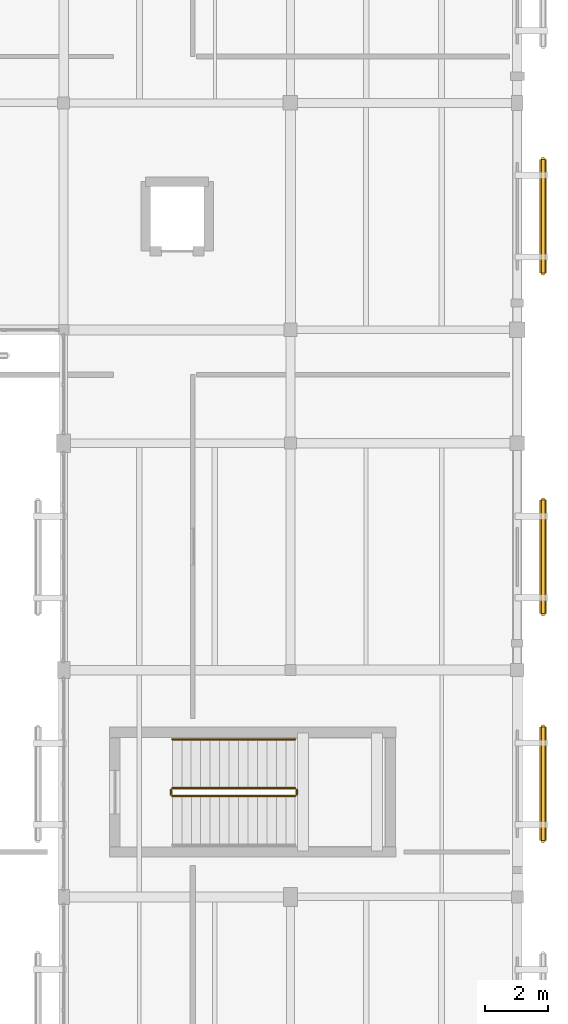
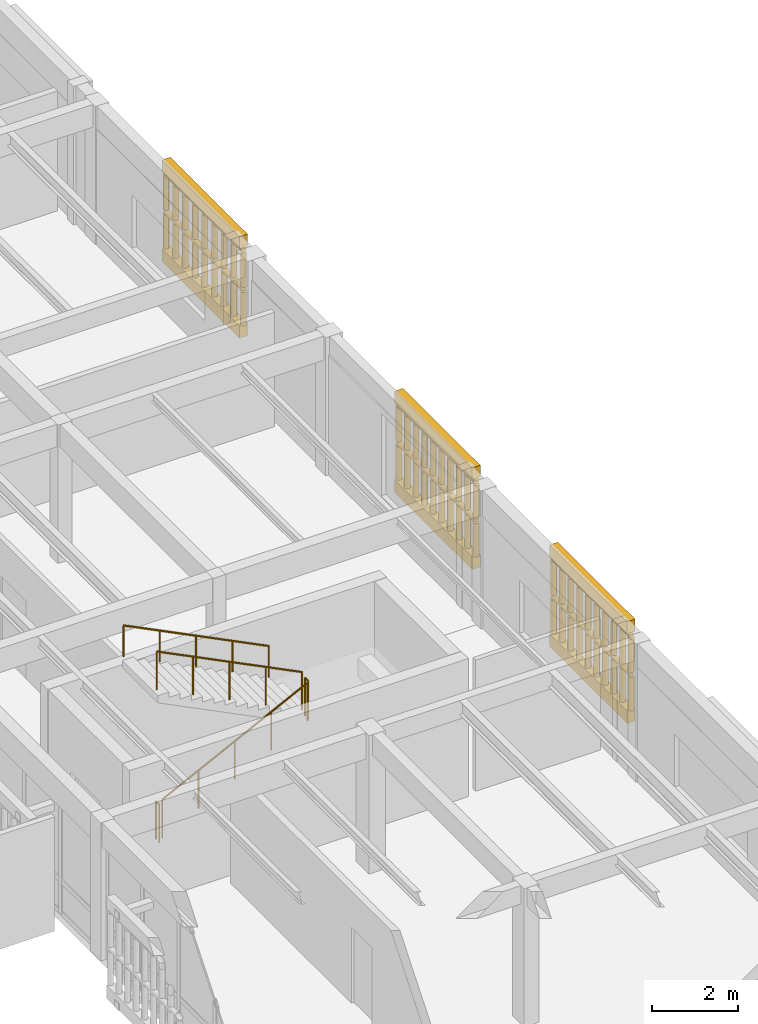
# One storey, part 216 of 217: 11 railings, 6 coverings.
"""IFC4 building model written with IfcOpenShell, lengths in metres."""

from ifc_helpers import new_model, si_unit, direction, frame, origin, origin_2d, place, context, subcontext, project, spatial, polyline, circle, outline, extrude, material, layer, layer_set, type_object, element, save


model = new_model("IFC4")

# Units and contexts
model_context = context("Model", 3, precision=1e-05, world=origin(), true_north=direction((0.0, 1.0)))
body_context = subcontext(model_context, "Body", "Model", "MODEL_VIEW")
ifc_project = project(units=[si_unit("LENGTHUNIT", "METRE"), si_unit("AREAUNIT", "SQUARE_METRE"), si_unit("VOLUMEUNIT", "CUBIC_METRE"), si_unit("PLANEANGLEUNIT", "RADIAN"), si_unit("MASSUNIT", "GRAM", prefix="KILO")], contexts=[model_context])

# Site, building, storey
site_placement = place(None, origin())
site = spatial("IfcSite", under=ifc_project, at=site_placement, CompositionType="ELEMENT")
building_placement = place(site_placement, origin())
building = spatial("IfcBuilding", under=site, at=building_placement, Name="Mazaris Harbour Polytechnic", CompositionType="ELEMENT")
storey_placement = place(building_placement, frame((0.0, 0.0, 9.60009765625)))
storey = spatial("IfcBuildingStorey", under=building, at=storey_placement, Name="L02", CompositionType="ELEMENT", Elevation=9.60009765625)

# Railings
ifc_material_1 = material(Name="Perforated Earth-Coloured Terracotta Block", Category="masonry")
railing_type_1 = type_object("IfcRailingType", Name="Perforated Earth-Block Claustra Lattice 1040", PredefinedType="BALUSTRADE", material=ifc_material_1)
for number, where, name in (
    (1, (173.6201171875, 73.7900390625, 0.52001953125), "V5 L02 Lower Perforated Terracotta Block Screen 429"),
    (2, (173.6201171875, 73.7900390625, 1.60986328125), "V5 L02 Upper Perforated Terracotta Block Screen 429"),
    (3, (173.6201171875, 80.989990234375, 0.52001953125), "V5 L02 Lower Perforated Terracotta Block Screen 430"),
    (4, (173.6201171875, 80.989990234375, 1.60986328125), "V5 L02 Upper Perforated Terracotta Block Screen 430"),
):
    element("IfcRailing", number, at=place(storey_placement, frame(where)), inside=storey, type_object=railing_type_1, Name=name, PredefinedType="BALUSTRADE", context=body_context, shape_type="SweptSolid", body=[
        extrude(circle(Radius=0.06982421875, at=origin_2d()), frame((0.0, 0.0, 1.02001953125), z_axis=(0.0, -1.0, 0.0), x_axis=(1.0, 0.0, 0.0)), (0.0, 0.0, 1.0), 3.60009765625),
        extrude(circle(Radius=0.074951171875, at=origin_2d()), origin(), (0.0, 0.0, 1.0), 0.9501953125),
        extrude(circle(Radius=0.074951171875, at=origin_2d()), frame((0.0, -0.39990234375, 0.0)), (0.0, 0.0, 1.0), 0.9501953125),
        extrude(circle(Radius=0.074951171875, at=origin_2d()), frame((0.0, -0.800048828125, 0.0)), (0.0, 0.0, 1.0), 0.9501953125),
        extrude(circle(Radius=0.074951171875, at=origin_2d()), frame((0.0, -1.199951171875, 0.0)), (0.0, 0.0, 1.0), 0.9501953125),
        extrude(circle(Radius=0.074951171875, at=origin_2d()), frame((0.0, -1.60009765625, 0.0)), (0.0, 0.0, 1.0), 0.9501953125),
        extrude(circle(Radius=0.074951171875, at=origin_2d()), frame((0.0, -2.0, 0.0)), (0.0, 0.0, 1.0), 0.9501953125),
        extrude(circle(Radius=0.074951171875, at=origin_2d()), frame((0.0, -2.400146484375, 0.0)), (0.0, 0.0, 1.0), 0.9501953125),
        extrude(circle(Radius=0.074951171875, at=origin_2d()), frame((0.0, -2.800048828125, 0.0)), (0.0, 0.0, 1.0), 0.9501953125),
        extrude(circle(Radius=0.074951171875, at=origin_2d()), frame((0.0, -3.2001953125, 0.0)), (0.0, 0.0, 1.0), 0.9501953125),
        extrude(circle(Radius=0.074951171875, at=origin_2d()), frame((0.0, -3.60009765625, 0.0)), (0.0, 0.0, 1.0), 0.9501953125),
    ])
for number, where, name in (
    (5, (173.6201171875, 91.804931640625, 0.52001953125), "V5 L02 Lower Perforated Terracotta Block Screen 431"),
    (6, (173.6201171875, 91.804931640625, 1.60986328125), "V5 L02 Upper Perforated Terracotta Block Screen 431"),
):
    element("IfcRailing", number, at=place(storey_placement, frame(where)), inside=storey, type_object=railing_type_1, Name=name, PredefinedType="BALUSTRADE", context=body_context, shape_type="SweptSolid", body=[
        extrude(circle(Radius=0.06982421875, at=origin_2d()), frame((0.0, 0.0, 1.02001953125), z_axis=(0.0, -1.0, 0.0), x_axis=(1.0, 0.0, 0.0)), (0.0, 0.0, 1.0), 3.599853515625),
        extrude(circle(Radius=0.074951171875, at=origin_2d()), origin(), (0.0, 0.0, 1.0), 0.9501953125),
        extrude(circle(Radius=0.074951171875, at=origin_2d()), frame((0.0, -0.449951171875, 0.0)), (0.0, 0.0, 1.0), 0.9501953125),
        extrude(circle(Radius=0.074951171875, at=origin_2d()), frame((0.0, -0.89990234375, 0.0)), (0.0, 0.0, 1.0), 0.9501953125),
        extrude(circle(Radius=0.074951171875, at=origin_2d()), frame((0.0, -1.349853515625, 0.0)), (0.0, 0.0, 1.0), 0.9501953125),
        extrude(circle(Radius=0.074951171875, at=origin_2d()), frame((0.0, -1.7998046875, 0.0)), (0.0, 0.0, 1.0), 0.9501953125),
        extrude(circle(Radius=0.074951171875, at=origin_2d()), frame((0.0, -2.25, 0.0)), (0.0, 0.0, 1.0), 0.9501953125),
        extrude(circle(Radius=0.074951171875, at=origin_2d()), frame((0.0, -2.699951171875, 0.0)), (0.0, 0.0, 1.0), 0.9501953125),
        extrude(circle(Radius=0.074951171875, at=origin_2d()), frame((0.0, -3.14990234375, 0.0)), (0.0, 0.0, 1.0), 0.9501953125),
        extrude(circle(Radius=0.074951171875, at=origin_2d()), frame((0.0, -3.599853515625, 0.0)), (0.0, 0.0, 1.0), 0.9501953125),
    ])
ifc_material_2 = material(Name="Stainless Steel S355", Category="steel")
railing_type_2 = type_object("IfcRailingType", Name="Stair Wall Handrail 900", PredefinedType="HANDRAIL", material=ifc_material_2)
railing_1_placement = place(storey_placement, frame((165.75, 73.39990234375, 2.25)))
element("IfcRailing", 7, at=railing_1_placement, inside=storey, type_object=railing_type_2, Name="L02 ST10 stair handrail 2", PredefinedType="HANDRAIL", context=body_context, shape_type="SweptSolid", body=[
    extrude(circle(Radius=0.02392578125, at=origin_2d()), frame((0.0, 0.0, 0.8759765625), z_axis=(-0.894427191, 0.0, 0.4472135955), x_axis=(0.0, -1.0, 0.0)), (0.0, 0.0, 1.0), 4.360107421875),
    extrude(circle(Radius=0.02099609375, at=origin_2d()), origin(), (0.0, 0.0, 1.0), 0.851806640625),
    extrude(circle(Radius=0.02099609375, at=origin_2d()), frame((-0.97509765625, 0.0, 0.487548828125)), (0.0, 0.0, 1.0), 0.851806640625),
    extrude(circle(Radius=0.02099609375, at=origin_2d()), frame((-1.949951171875, 0.0, 0.97509765625)), (0.0, 0.0, 1.0), 0.851806640625),
    extrude(circle(Radius=0.02099609375, at=origin_2d()), frame((-2.9248046875, 0.0, 1.46240234375)), (0.0, 0.0, 1.0), 0.851806640625),
    extrude(circle(Radius=0.02099609375, at=origin_2d()), frame((-3.89990234375, 0.0, 1.949951171875)), (0.0, 0.0, 1.0), 0.851806640625),
])
ifc_material_3 = material(Name="Steel S355", Category="steel")
railing_type_3 = type_object("IfcRailingType", Name="Stair Well Guardrail 1100", PredefinedType="GUARDRAIL", material=ifc_material_3)
railing_2_placement = place(storey_placement, frame((161.85009765625, 71.60009765625, 0.14990234375)))
element("IfcRailing", 8, at=railing_2_placement, inside=storey, type_object=railing_type_3, Name="L02 ST10 stair guard 1", PredefinedType="GUARDRAIL", context=body_context, shape_type="SweptSolid", body=[
    extrude(circle(Radius=0.02392578125, at=origin_2d()), frame((0.0, 0.0, 1.076171875), z_axis=(0.894427191, 0.0, 0.4472135955), x_axis=(0.0, 1.0, 0.0)), (0.0, 0.0, 1.0), 4.360107421875),
    extrude(circle(Radius=0.02099609375, at=origin_2d()), origin(), (0.0, 0.0, 1.0), 1.052001953125),
    extrude(circle(Radius=0.02099609375, at=origin_2d()), frame((0.97509765625, 0.0, 0.487548828125)), (0.0, 0.0, 1.0), 1.052001953125),
    extrude(circle(Radius=0.02099609375, at=origin_2d()), frame((1.949951171875, 0.0, 0.97509765625)), (0.0, 0.0, 1.0), 1.052001953125),
    extrude(circle(Radius=0.02099609375, at=origin_2d()), frame((2.9248046875, 0.0, 1.46240234375)), (0.0, 0.0, 1.0), 1.052001953125),
    extrude(circle(Radius=0.02099609375, at=origin_2d()), frame((3.89990234375, 0.0, 1.949951171875)), (0.0, 0.0, 1.0), 1.052001953125),
])
railing_3_placement = place(storey_placement, frame((165.800048828125, 71.64990234375, 2.099853515625)))
element("IfcRailing", 9, at=railing_3_placement, inside=storey, type_object=railing_type_3, Name="L02 ST10 stair guard 2", PredefinedType="GUARDRAIL", context=body_context, shape_type="SweptSolid", body=[
    extrude(circle(Radius=0.02392578125, at=origin_2d()), frame((0.0, 0.0, 1.076171875), z_axis=(0.0, 1.0, 0.0), x_axis=(-1.0, 0.0, 0.0)), (0.0, 0.0, 1.0), 0.150146484375),
    extrude(circle(Radius=0.02099609375, at=origin_2d()), origin(), (0.0, 0.0, 1.0), 1.052001953125),
    extrude(circle(Radius=0.02099609375, at=origin_2d()), frame((0.0, 0.150146484375, 0.0)), (0.0, 0.0, 1.0), 1.052001953125),
])
railing_4_placement = place(storey_placement, frame((165.75, 71.85009765625, 2.25)))
element("IfcRailing", 10, at=railing_4_placement, inside=storey, type_object=railing_type_3, Name="L02 ST10 stair guard 3", PredefinedType="GUARDRAIL", context=body_context, shape_type="SweptSolid", body=[
    extrude(circle(Radius=0.02392578125, at=origin_2d()), frame((0.0, 0.0, 1.076171875), z_axis=(-0.894427191, 0.0, 0.4472135955), x_axis=(0.0, -1.0, 0.0)), (0.0, 0.0, 1.0), 4.360107421875),
    extrude(circle(Radius=0.02099609375, at=origin_2d()), origin(), (0.0, 0.0, 1.0), 1.052001953125),
    extrude(circle(Radius=0.02099609375, at=origin_2d()), frame((-0.97509765625, 0.0, 0.487548828125)), (0.0, 0.0, 1.0), 1.052001953125),
    extrude(circle(Radius=0.02099609375, at=origin_2d()), frame((-1.949951171875, 0.0, 0.97509765625)), (0.0, 0.0, 1.0), 1.052001953125),
    extrude(circle(Radius=0.02099609375, at=origin_2d()), frame((-2.9248046875, 0.0, 1.46240234375)), (0.0, 0.0, 1.0), 1.052001953125),
    extrude(circle(Radius=0.02099609375, at=origin_2d()), frame((-3.89990234375, 0.0, 1.949951171875)), (0.0, 0.0, 1.0), 1.052001953125),
])
railing_5_placement = place(storey_placement, frame((161.800048828125, 71.64990234375, 0.0)))
element("IfcRailing", 11, at=railing_5_placement, inside=storey, type_object=railing_type_3, Name="L02 ST10 stair guard 4", PredefinedType="GUARDRAIL", context=body_context, shape_type="SweptSolid", body=[
    extrude(circle(Radius=0.02392578125, at=origin_2d()), frame((0.0, 0.0, 1.076171875), z_axis=(0.0, 1.0, 0.0), x_axis=(-1.0, 0.0, 0.0)), (0.0, 0.0, 1.0), 0.150146484375),
    extrude(circle(Radius=0.02099609375, at=origin_2d()), origin(), (0.0, 0.0, 1.0), 1.052001953125),
    extrude(circle(Radius=0.02099609375, at=origin_2d()), frame((0.0, 0.150146484375, 0.0)), (0.0, 0.0, 1.0), 1.052001953125),
])

# Coverings
ifc_material_4 = material(Name="Perforated Earth-Coloured Terracotta Block", Category="masonry")
ifc_layer = layer(ifc_material_4, 0.219970703125, Name="Perforated Earth-Coloured Terracotta Block")
ifc_layer_set = layer_set([ifc_layer], Name="Perforated Earth-Coloured Terracotta Block")
covering_type = type_object("IfcCoveringType", Name="Terracotta Screen Course Cladding 220", PredefinedType="CLADDING", material=ifc_layer_set)
covering_1_placement = place(storey_placement, frame((0.0, 0.0, 0.159912109375)))
element("IfcCovering", 12, at=covering_1_placement, inside=storey, type_object=covering_type, Name="V5 L02 Perforated Screen Sill Course 429", PredefinedType="CLADDING", context=body_context, shape_type="SweptSolid", body=[
    extrude(outline(polyline([(173.510009765625, 73.7900390625), (173.510009765625, 70.18994140625), (173.72998046875, 70.18994140625), (173.72998046875, 73.7900390625), (173.510009765625, 73.7900390625)])), origin(), (0.0, 0.0, 1.0), 0.360107421875),
])
covering_2_placement = place(storey_placement, frame((0.0, 0.0, 2.699951171875)))
element("IfcCovering", 13, at=covering_2_placement, inside=storey, type_object=covering_type, Name="V5 L02 Perforated Screen Lintel Course 429", PredefinedType="CLADDING", context=body_context, shape_type="SweptSolid", body=[
    extrude(outline(polyline([(173.510009765625, 73.7900390625), (173.510009765625, 70.18994140625), (173.72998046875, 70.18994140625), (173.72998046875, 73.7900390625), (173.510009765625, 73.7900390625)])), origin(), (0.0, 0.0, 1.0), 0.33984375),
])
covering_3_placement = place(storey_placement, frame((0.0, 0.0, 0.159912109375)))
element("IfcCovering", 14, at=covering_3_placement, inside=storey, type_object=covering_type, Name="V5 L02 Perforated Screen Sill Course 430", PredefinedType="CLADDING", context=body_context, shape_type="SweptSolid", body=[
    extrude(outline(polyline([(173.510009765625, 80.989990234375), (173.510009765625, 77.389892578125), (173.72998046875, 77.389892578125), (173.72998046875, 80.989990234375), (173.510009765625, 80.989990234375)])), origin(), (0.0, 0.0, 1.0), 0.360107421875),
])
covering_4_placement = place(storey_placement, frame((0.0, 0.0, 2.699951171875)))
element("IfcCovering", 15, at=covering_4_placement, inside=storey, type_object=covering_type, Name="V5 L02 Perforated Screen Lintel Course 430", PredefinedType="CLADDING", context=body_context, shape_type="SweptSolid", body=[
    extrude(outline(polyline([(173.510009765625, 80.989990234375), (173.510009765625, 77.389892578125), (173.72998046875, 77.389892578125), (173.72998046875, 80.989990234375), (173.510009765625, 80.989990234375)])), origin(), (0.0, 0.0, 1.0), 0.33984375),
])
covering_5_placement = place(storey_placement, frame((0.0, 0.0, 0.159912109375)))
element("IfcCovering", 16, at=covering_5_placement, inside=storey, type_object=covering_type, Name="V5 L02 Perforated Screen Sill Course 431", PredefinedType="CLADDING", context=body_context, shape_type="SweptSolid", body=[
    extrude(outline(polyline([(173.510009765625, 91.804931640625), (173.510009765625, 88.205078125), (173.72998046875, 88.205078125), (173.72998046875, 91.804931640625), (173.510009765625, 91.804931640625)])), origin(), (0.0, 0.0, 1.0), 0.360107421875),
])
covering_6_placement = place(storey_placement, frame((0.0, 0.0, 2.699951171875)))
element("IfcCovering", 17, at=covering_6_placement, inside=storey, type_object=covering_type, Name="V5 L02 Perforated Screen Lintel Course 431", PredefinedType="CLADDING", context=body_context, shape_type="SweptSolid", body=[
    extrude(outline(polyline([(173.510009765625, 91.804931640625), (173.510009765625, 88.205078125), (173.72998046875, 88.205078125), (173.72998046875, 91.804931640625), (173.510009765625, 91.804931640625)])), origin(), (0.0, 0.0, 1.0), 0.33984375),
])

save(model, "model.ifc")
